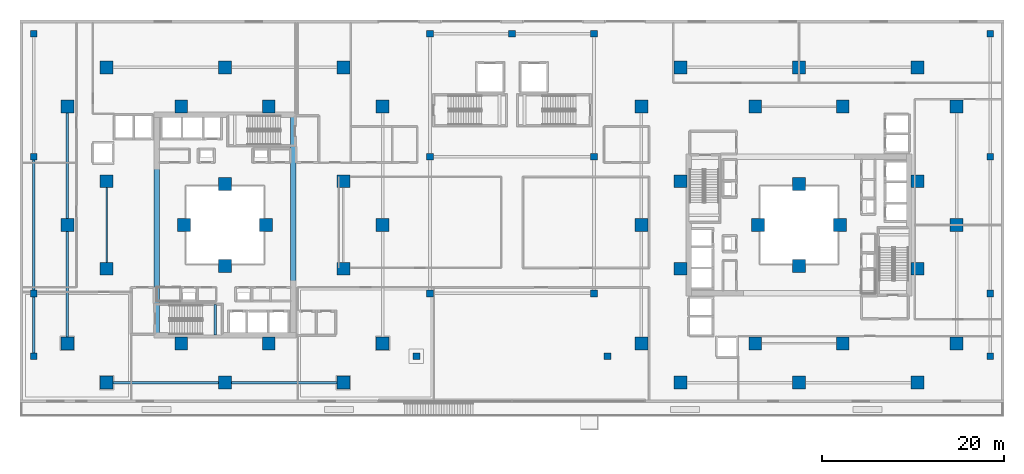
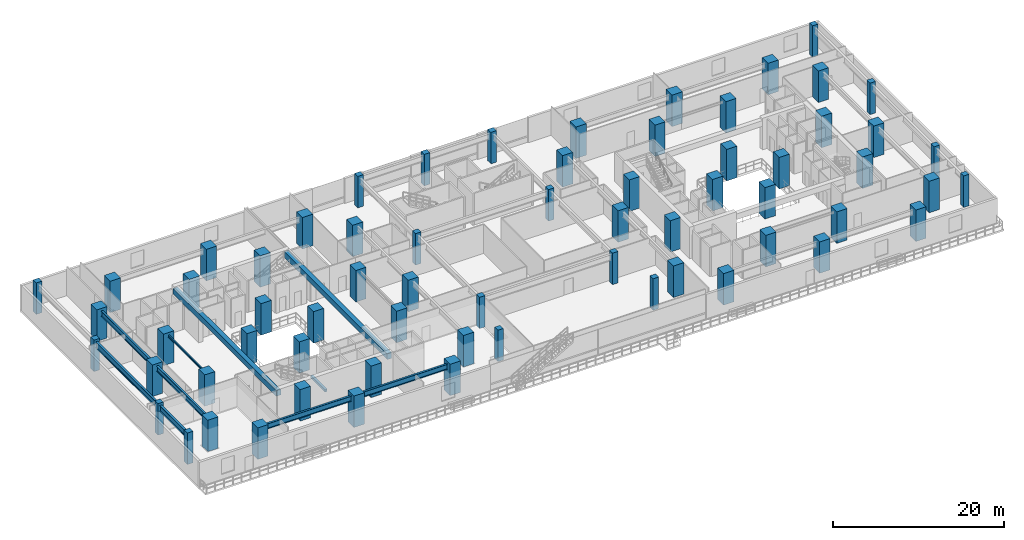
# One storey, part 1 of 25: 65 columns, 10 beams.
"""IFC4 building model written with IfcOpenShell, lengths in metres."""

from ifc_helpers import new_model, si_unit, direction, frame, origin, origin_2d, place, context, subcontext, project, spatial, rectangle, i_section, extrude, material, material_profile, profile_set, type_object, element, save


model = new_model("IFC4")

# Units and contexts
model_context = context("Model", 3, precision=1e-05, world=origin(), true_north=direction((0.0, 1.0)))
body_context = subcontext(model_context, "Body", "Model", "MODEL_VIEW")
ifc_project = project(units=[si_unit("LENGTHUNIT", "METRE"), si_unit("AREAUNIT", "SQUARE_METRE"), si_unit("VOLUMEUNIT", "CUBIC_METRE"), si_unit("PLANEANGLEUNIT", "RADIAN"), si_unit("MASSUNIT", "GRAM", prefix="KILO")], contexts=[model_context])

# Site, building, storey
site_placement = place(None, origin())
site = spatial("IfcSite", under=ifc_project, at=site_placement, CompositionType="ELEMENT")
building_placement = place(site_placement, origin())
building = spatial("IfcBuilding", under=site, at=building_placement, Name="Thornwick Lancets Civic Towers", CompositionType="ELEMENT")
storey_placement = place(building_placement, frame((0.0, 0.0, 9.60009765625)))
storey = spatial("IfcBuildingStorey", under=building, at=storey_placement, Name="L02", CompositionType="ELEMENT", Elevation=9.60009765625)

# Columns
ifc_material_1 = material(Name="Concrete C60/75", Category="concrete")
ifc_material_profile_1 = material_profile(ifc_material_1, rectangle(XDim=1.39990234375, YDim=1.39990234375, at=origin_2d()), Name="RC 1400x1400")
ifc_profile_set_1 = profile_set([ifc_material_profile_1], Name="Concrete C60/75")
column_type_1 = type_object("IfcColumnType", Name="COL_RC_1400", PredefinedType="COLUMN", material=ifc_profile_set_1)
for number, where, z_axis, x_axis, name in (
    (1, (12.5, 9.699951171875, 0.0), (0.0, 0.0, 1.0), (1.0, 0.0, 0.0), "L02 Spine Mega-Column A01"),
    (2, (25.5, 9.699951171875, 0.0), (0.0, 0.0, 1.0), (1.0, 0.0, 0.0), "L02 Spine Mega-Column A02"),
    (3, (38.5, 9.699951171875, 0.0), (0.0, 0.0, 1.0), (1.0, 0.0, 0.0), "L02 Spine Mega-Column A03"),
    (4, (42.800048828125, 14.0, 0.0), (0.0, 0.0, 1.0), (1.0, 0.0, 0.0), "L02 Spine Mega-Column A04"),
    (5, (42.800048828125, 27.0, 0.0), (0.0, 0.0, 1.0), (1.0, 0.0, 0.0), "L02 Spine Mega-Column A05"),
    (6, (42.800048828125, 40.0, 0.0), (0.0, 0.0, 1.0), (1.0, 0.0, 0.0), "L02 Spine Mega-Column A06"),
    (7, (12.5, 44.300048828125, 0.0), (0.0, 0.0, 1.0), (1.0, 0.0, 0.0), "L02 Spine Mega-Column A07"),
    (8, (25.5, 44.300048828125, 0.0), (0.0, 0.0, 1.0), (1.0, 0.0, 0.0), "L02 Spine Mega-Column A08"),
    (9, (38.5, 44.300048828125, 0.0), (0.0, 0.0, 1.0), (1.0, 0.0, 0.0), "L02 Spine Mega-Column A09"),
    (10, (8.199951171875, 14.0, 0.0), (0.0, 0.0, 1.0), (1.0, 0.0, 0.0), "L02 Spine Mega-Column A10"),
    (11, (8.199951171875, 27.0, 0.0), (0.0, 0.0, 1.0), (1.0, 0.0, 0.0), "L02 Spine Mega-Column A11"),
    (12, (8.199951171875, 40.0, 0.0), (0.0, 0.0, 1.0), (1.0, 0.0, 0.0), "L02 Spine Mega-Column A12"),
    (13, (12.5, 22.199951171875, 0.0), (0.0, 0.0, 1.0), (1.0, 0.0, 0.0), "L02 Spine Mega-Column A13"),
    (14, (38.5, 22.199951171875, 0.0), (0.0, 0.0, 1.0), (1.0, 0.0, 0.0), "L02 Spine Mega-Column A14"),
    (15, (12.5, 31.800048828125, 0.0), (0.0, 0.0, 1.0), (1.0, 0.0, 0.0), "L02 Spine Mega-Column A15"),
    (16, (38.5, 31.800048828125, 0.0), (0.0, 0.0, 1.0), (1.0, 0.0, 0.0), "L02 Spine Mega-Column A16"),
    (17, (20.699951171875, 14.0, 0.0), (0.0, 0.0, 1.0), (1.0, 0.0, 0.0), "L02 Spine Mega-Column A17"),
    (18, (30.300048828125, 14.0, 0.0), (0.0, 0.0, 1.0), (1.0, 0.0, 0.0), "L02 Spine Mega-Column A18"),
    (19, (20.699951171875, 40.0, 0.0), (0.0, 0.0, 1.0), (1.0, 0.0, 0.0), "L02 Spine Mega-Column A19"),
    (20, (30.300048828125, 40.0, 0.0), (0.0, 0.0, 1.0), (1.0, 0.0, 0.0), "L02 Spine Mega-Column A20"),
    (21, (25.5, 22.5, 0.0), (0.0, 0.0, 1.0), (1.0, 0.0, 0.0), "L02 Spine Mega-Column A21"),
    (22, (25.5, 31.5, 0.0), (0.0, 0.0, 1.0), (1.0, 0.0, 0.0), "L02 Spine Mega-Column A22"),
    (23, (21.0, 27.0, 0.0), (0.0, 0.0, 1.0), (1.0, 0.0, 0.0), "L02 Spine Mega-Column A23"),
    (24, (30.0, 27.0, 0.0), (0.0, 0.0, 1.0), (1.0, 0.0, 0.0), "L02 Spine Mega-Column A24"),
    (25, (105.800048828125, 14.0, 0.0), (0.0, 0.0, 1.0), (1.0, 0.0, 0.0), "L02 Spine Mega-Column B01"),
    (26, (105.800048828125, 27.0, 0.0), (0.0, 0.0, 1.0), (1.0, 0.0, 0.0), "L02 Spine Mega-Column B02"),
    (27, (105.800048828125, 40.0, 0.0), (0.0, 0.0, 1.0), (1.0, 0.0, 0.0), "L02 Spine Mega-Column B03"),
    (28, (101.5, 44.300048828125, 0.0), (0.0, 0.0, 1.0), (1.0, 0.0, 0.0), "L02 Spine Mega-Column B04"),
    (29, (88.5, 44.300048828125, 0.0), (0.0, 0.0, 1.0), (1.0, 0.0, 0.0), "L02 Spine Mega-Column B05"),
    (30, (75.5, 44.300048828125, 0.0), (0.0, 0.0, 1.0), (1.0, 0.0, 0.0), "L02 Spine Mega-Column B06"),
    (31, (71.199951171875, 14.0, 0.0), (0.0, 0.0, 1.0), (1.0, 0.0, 0.0), "L02 Spine Mega-Column B07"),
    (32, (71.199951171875, 27.0, 0.0), (0.0, 0.0, 1.0), (1.0, 0.0, 0.0), "L02 Spine Mega-Column B08"),
    (33, (71.199951171875, 40.0, 0.0), (0.0, 0.0, 1.0), (1.0, 0.0, 0.0), "L02 Spine Mega-Column B09"),
    (34, (101.5, 9.699951171875, 0.0), (0.0, 0.0, 1.0), (1.0, 0.0, 0.0), "L02 Spine Mega-Column B10"),
    (35, (88.5, 9.699951171875, 0.0), (0.0, 0.0, 1.0), (1.0, 0.0, 0.0), "L02 Spine Mega-Column B11"),
    (36, (75.5, 9.699951171875, 0.0), (0.0, 0.0, 1.0), (1.0, 0.0, 0.0), "L02 Spine Mega-Column B12"),
    (37, (93.300048828125, 14.0, 0.0), (0.0, 0.0, 1.0), (1.0, 0.0, 0.0), "L02 Spine Mega-Column B13"),
    (38, (93.300048828125, 40.0, 0.0), (0.0, 0.0, 1.0), (1.0, 0.0, 0.0), "L02 Spine Mega-Column B14"),
    (39, (83.699951171875, 14.0, 0.0), (0.0, 0.0, 1.0), (1.0, 0.0, 0.0), "L02 Spine Mega-Column B15"),
    (40, (83.699951171875, 40.0, 0.0), (0.0, 0.0, 1.0), (1.0, 0.0, 0.0), "L02 Spine Mega-Column B16"),
    (41, (101.5, 22.199951171875, 0.0), (0.0, 0.0, 1.0), (1.0, 0.0, 0.0), "L02 Spine Mega-Column B17"),
    (42, (101.5, 31.800048828125, 0.0), (0.0, 0.0, 1.0), (1.0, 0.0, 0.0), "L02 Spine Mega-Column B18"),
    (43, (75.5, 22.199951171875, 0.0), (0.0, 0.0, 1.0), (1.0, 0.0, 0.0), "L02 Spine Mega-Column B19"),
    (44, (75.5, 31.800048828125, 0.0), (0.0, 0.0, 1.0), (1.0, 0.0, 0.0), "L02 Spine Mega-Column B20"),
    (45, (93.0, 27.0, 0.0), (0.0, 0.0, 1.0), (1.0, 0.0, 0.0), "L02 Spine Mega-Column B21"),
    (46, (84.0, 27.0, 0.0), (0.0, 0.0, 1.0), (1.0, 0.0, 0.0), "L02 Spine Mega-Column B22"),
    (47, (88.5, 22.5, 0.0), (0.0, 0.0, 1.0), (1.0, 0.0, 0.0), "L02 Spine Mega-Column B23"),
    (48, (88.5, 31.5, 0.0), (0.0, 0.0, 1.0), (1.0, 0.0, 0.0), "L02 Spine Mega-Column B24"),
):
    element("IfcColumn", number, at=place(storey_placement, frame(where, z_axis=z_axis, x_axis=x_axis)), inside=storey, type_object=column_type_1, Name=name, PredefinedType="COLUMN", context=body_context, shape_type="SweptSolid", body=[
        extrude(rectangle(XDim=1.39990234375, YDim=1.39990234375, at=origin_2d()), origin(), (0.0, 0.0, 1.0), 4.5),
    ])
ifc_material_2 = material(Name="Concrete C40/50", Category="concrete")
ifc_material_profile_2 = material_profile(ifc_material_2, rectangle(XDim=0.75, YDim=0.75, at=origin_2d()), Name="RC 750x750")
ifc_profile_set_2 = profile_set([ifc_material_profile_2], Name="Concrete C40/50")
column_type_2 = type_object("IfcColumnType", Name="COL_RC_750", PredefinedType="COLUMN", material=ifc_profile_set_2)
for number, where, z_axis, x_axis, name in (
    (49, (4.5, 12.60009765625, 0.0), (0.0, 0.0, 1.0), (1.0, 0.0, 0.0), "L02 Podium Column P07"),
    (50, (46.5, 12.60009765625, 0.0), (0.0, 0.0, 1.0), (1.0, 0.0, 0.0), "L02 Podium Column P08"),
    (51, (67.5, 12.60009765625, 0.0), (0.0, 0.0, 1.0), (1.0, 0.0, 0.0), "L02 Podium Column P09"),
    (52, (109.5, 12.60009765625, 0.0), (0.0, 0.0, 1.0), (1.0, 0.0, 0.0), "L02 Podium Column P10"),
    (53, (4.5, 19.5, 0.0), (0.0, 0.0, 1.0), (1.0, 0.0, 0.0), "L02 Podium Column P11"),
    (54, (4.5, 34.5, 0.0), (0.0, 0.0, 1.0), (1.0, 0.0, 0.0), "L02 Podium Column P12"),
    (55, (4.5, 48.0, 0.0), (0.0, 0.0, 1.0), (1.0, 0.0, 0.0), "L02 Podium Column P13"),
    (56, (48.0, 19.5, 0.0), (0.0, 0.0, 1.0), (1.0, 0.0, 0.0), "L02 Podium Column P14"),
    (57, (66.0, 19.5, 0.0), (0.0, 0.0, 1.0), (1.0, 0.0, 0.0), "L02 Podium Column P15"),
    (58, (48.0, 34.5, 0.0), (0.0, 0.0, 1.0), (1.0, 0.0, 0.0), "L02 Podium Column P16"),
    (59, (66.0, 34.5, 0.0), (0.0, 0.0, 1.0), (1.0, 0.0, 0.0), "L02 Podium Column P17"),
    (60, (48.0, 48.0, 0.0), (0.0, 0.0, 1.0), (1.0, 0.0, 0.0), "L02 Podium Column P18"),
    (61, (57.0, 48.0, 0.0), (0.0, 0.0, 1.0), (1.0, 0.0, 0.0), "L02 Podium Column P19"),
    (62, (66.0, 48.0, 0.0), (0.0, 0.0, 1.0), (1.0, 0.0, 0.0), "L02 Podium Column P20"),
    (63, (109.5, 19.5, 0.0), (0.0, 0.0, 1.0), (1.0, 0.0, 0.0), "L02 Podium Column P21"),
    (64, (109.5, 34.5, 0.0), (0.0, 0.0, 1.0), (1.0, 0.0, 0.0), "L02 Podium Column P22"),
    (65, (109.5, 48.0, 0.0), (0.0, 0.0, 1.0), (1.0, 0.0, 0.0), "L02 Podium Column P23"),
):
    element("IfcColumn", number, at=place(storey_placement, frame(where, z_axis=z_axis, x_axis=x_axis)), inside=storey, type_object=column_type_2, Name=name, PredefinedType="COLUMN", context=body_context, shape_type="SweptSolid", body=[
        extrude(rectangle(XDim=0.75, YDim=0.75, at=origin_2d()), origin(), (0.0, 0.0, 1.0), 4.5),
    ])

# Beams
ifc_material_profile_3 = material_profile(ifc_material_1, rectangle(XDim=0.60009765625, YDim=0.800048828125, at=origin_2d()), Name="RC 600x800")
ifc_profile_set_3 = profile_set([ifc_material_profile_3], Name="Concrete C60/75")
beam_type_1 = type_object("IfcBeamType", Name="BM_COUP_RC800", PredefinedType="BEAM", material=ifc_profile_set_3)
for number, where, z_axis, x_axis, name in (
    (66, (33.0, 14.89990234375, 3.77978515625), (0.0, 1.0, 0.0), (-1.0, 0.0, 0.0), "CB-L02-A1"),
    (67, (18.0, 14.89990234375, 3.77978515625), (0.0, 1.0, 0.0), (-1.0, 0.0, 0.0), "CB-L02-A2"),
):
    element("IfcBeam", number, at=place(storey_placement, frame(where, z_axis=z_axis, x_axis=x_axis)), inside=storey, type_object=beam_type_1, Name=name, PredefinedType="BEAM", context=body_context, shape_type="SweptSolid", body=[
        extrude(rectangle(XDim=0.60009765625, YDim=0.800048828125, at=origin_2d()), origin(), (0.0, 0.0, 1.0), 24.2001953125),
    ])
ifc_material_3 = material(Name="Steel S355JR", Category="steel")
ifc_material_profile_4 = material_profile(ifc_material_3, i_section(OverallWidth=0.26806640625, OverallDepth=0.769775390625, WebThickness=0.015625, FlangeThickness=0.025390625, FilletRadius=0.0166015625, at=origin_2d()), Name="UKB 762x267x197")
ifc_profile_set_4 = profile_set([ifc_material_profile_4], Name="Steel S355JR")
beam_type_2 = type_object("IfcBeamType", Name="BM_GIRD_762_197", PredefinedType="BEAM", material=ifc_profile_set_4)
beam_1_placement = place(storey_placement, frame((12.5, 9.699951171875, 3.794921875), z_axis=(1.0, 0.0, 0.0), x_axis=(0.0, 1.0, 0.0)))
element("IfcBeam", 68, at=beam_1_placement, inside=storey, type_object=beam_type_2, Name="BM-SPINE-L02-A-0-1", PredefinedType="BEAM", context=body_context, shape_type="SweptSolid", body=[
    extrude(i_section(OverallWidth=0.26806640625, OverallDepth=0.769775390625, WebThickness=0.015625, FlangeThickness=0.025390625, FilletRadius=0.0166015625, at=origin_2d()), origin(), (0.0, 0.0, 1.0), 13.0),
])
beam_2_placement = place(storey_placement, frame((25.580078125, 9.699951171875, 3.794921875), z_axis=(1.0, 0.0, 0.0), x_axis=(0.0, 1.0, 0.0)))
element("IfcBeam", 69, at=beam_2_placement, inside=storey, type_object=beam_type_2, Name="BM-SPINE-L02-A-1-2", PredefinedType="BEAM", context=body_context, shape_type="SweptSolid", body=[
    extrude(i_section(OverallWidth=0.26806640625, OverallDepth=0.769775390625, WebThickness=0.015625, FlangeThickness=0.025390625, FilletRadius=0.0166015625, at=origin_2d()), origin(), (0.0, 0.0, 1.0), 12.919921875),
])
beam_3_placement = place(storey_placement, frame((8.199951171875, 14.0, 3.794921875), z_axis=(0.0, 1.0, 0.0), x_axis=(-1.0, 0.0, 0.0)))
element("IfcBeam", 70, at=beam_3_placement, inside=storey, type_object=beam_type_2, Name="BM-SPINE-L02-A-9-10", PredefinedType="BEAM", context=body_context, shape_type="SweptSolid", body=[
    extrude(i_section(OverallWidth=0.26806640625, OverallDepth=0.769775390625, WebThickness=0.015625, FlangeThickness=0.025390625, FilletRadius=0.0166015625, at=origin_2d()), origin(), (0.0, 0.0, 1.0), 13.0),
])
beam_4_placement = place(storey_placement, frame((8.199951171875, 27.080078125, 3.794921875), z_axis=(0.0, 1.0, 0.0), x_axis=(-1.0, 0.0, 0.0)))
element("IfcBeam", 71, at=beam_4_placement, inside=storey, type_object=beam_type_2, Name="BM-SPINE-L02-A-10-11", PredefinedType="BEAM", context=body_context, shape_type="SweptSolid", body=[
    extrude(i_section(OverallWidth=0.26806640625, OverallDepth=0.769775390625, WebThickness=0.015625, FlangeThickness=0.025390625, FilletRadius=0.0166015625, at=origin_2d()), origin(), (0.0, 0.0, 1.0), 12.919921875),
])
ifc_material_profile_5 = material_profile(ifc_material_3, i_section(OverallWidth=0.1669921875, OverallDepth=0.310302734375, WebThickness=0.0078125, FlangeThickness=0.013671875, FilletRadius=0.0087890625, at=origin_2d()), Name="UKB 305x165x54")
ifc_profile_set_5 = profile_set([ifc_material_profile_5], Name="Steel S355JR")
beam_type_3 = type_object("IfcBeamType", Name="BM_LINTEL_305_54", PredefinedType="LINTEL", material=ifc_profile_set_5)
beam_5_placement = place(storey_placement, frame((12.5, 22.199951171875, 4.024658203125), z_axis=(0.0, 1.0, 0.0), x_axis=(-1.0, 0.0, 0.0)))
element("IfcBeam", 72, at=beam_5_placement, inside=storey, type_object=beam_type_3, Name="BM-INSP-L02-A-0-2", PredefinedType="LINTEL", context=body_context, shape_type="SweptSolid", body=[
    extrude(i_section(OverallWidth=0.1669921875, OverallDepth=0.310302734375, WebThickness=0.0078125, FlangeThickness=0.013671875, FilletRadius=0.0087890625, at=origin_2d()), origin(), (0.0, 0.0, 1.0), 9.60009765625),
])
ifc_material_profile_6 = material_profile(ifc_material_3, i_section(OverallWidth=0.293701171875, OverallDepth=0.850830078125, WebThickness=0.01611328125, FlangeThickness=0.02685546875, FilletRadius=0.017822265625, at=origin_2d()), Name="UKB 838x292x226")
ifc_profile_set_6 = profile_set([ifc_material_profile_6], Name="Steel S355JR")
beam_type_4 = type_object("IfcBeamType", Name="BM_POD_838_226", PredefinedType="BEAM", material=ifc_profile_set_6)
beam_6_placement = place(storey_placement, frame((4.5, 12.60009765625, 3.75439453125), z_axis=(0.0, 1.0, 0.0), x_axis=(-1.0, 0.0, 0.0)))
element("IfcBeam", 73, at=beam_6_placement, inside=storey, type_object=beam_type_4, Name="BM-PODG-L02-0-4", PredefinedType="BEAM", context=body_context, shape_type="SweptSolid", body=[
    extrude(i_section(OverallWidth=0.293701171875, OverallDepth=0.850830078125, WebThickness=0.01611328125, FlangeThickness=0.02685546875, FilletRadius=0.017822265625, at=origin_2d()), origin(), (0.0, 0.0, 1.0), 6.89990234375),
])
beam_7_placement = place(storey_placement, frame((4.5, 19.580078125, 3.75439453125), z_axis=(0.0, 1.0, 0.0), x_axis=(-1.0, 0.0, 0.0)))
element("IfcBeam", 74, at=beam_7_placement, inside=storey, type_object=beam_type_4, Name="BM-PODG-L02-4-5", PredefinedType="BEAM", context=body_context, shape_type="SweptSolid", body=[
    extrude(i_section(OverallWidth=0.293701171875, OverallDepth=0.850830078125, WebThickness=0.01611328125, FlangeThickness=0.02685546875, FilletRadius=0.017822265625, at=origin_2d()), origin(), (0.0, 0.0, 1.0), 14.919921875),
])
ifc_material_profile_7 = material_profile(ifc_material_2, rectangle(XDim=0.300048828125, YDim=0.35009765625, at=origin_2d()), Name="RC 300x350")
ifc_profile_set_7 = profile_set([ifc_material_profile_7], Name="Concrete C40/50")
beam_type_5 = type_object("IfcBeamType", Name="BM_STAIR_LDG", PredefinedType="BEAM", material=ifc_profile_set_7)
beam_8_placement = place(storey_placement, frame((24.43505859375, 14.89990234375, 1.827880859375), z_axis=(0.0, 1.0, 0.0), x_axis=(-1.0, 0.0, 0.0)))
element("IfcBeam", 75, at=beam_8_placement, inside=storey, type_object=beam_type_5, Name="L02 ST-A1 Landing Support Beam 1", PredefinedType="BEAM", context=body_context, shape_type="SweptSolid", body=[
    extrude(rectangle(XDim=0.300048828125, YDim=0.35009765625, at=origin_2d()), origin(), (0.0, 0.0, 1.0), 3.400146484375),
])

save(model, "model.ifc")
